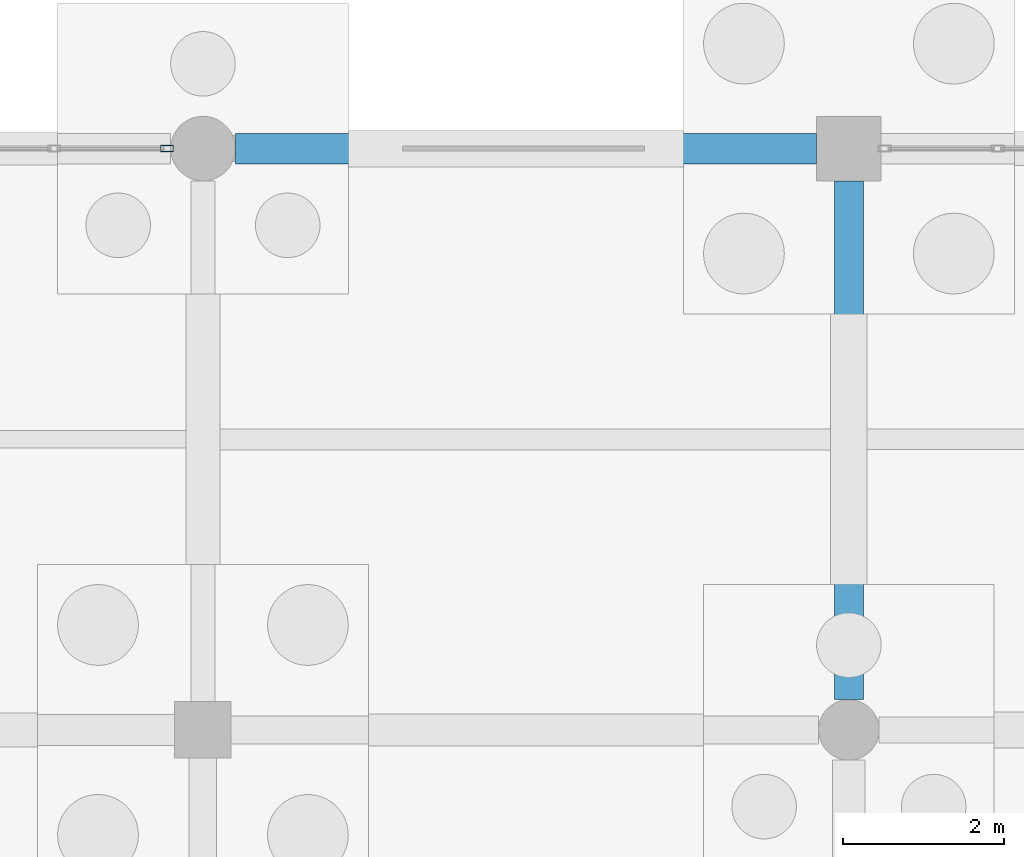
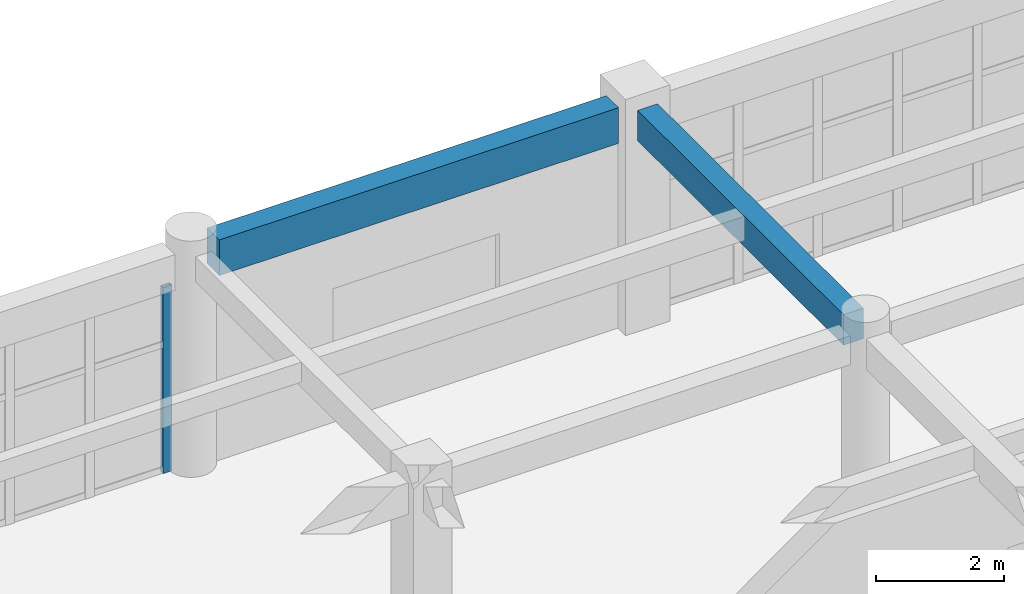
# One storey, part 69 of 166: 2 beams, 1 member, 1 element without a shape of its own.
"""IFC4 building model written with IfcOpenShell, lengths in metres."""

from ifc_helpers import new_model, si_unit, direction, frame, origin, origin_2d, place, context, subcontext, project, spatial, rectangle, hollow_rectangle, extrude, material, material_profile, profile_set, type_object, element, aggregate, save


model = new_model("IFC4")

# Units and contexts
model_context = context("Model", 3, precision=1e-05, world=origin(), true_north=direction((0.0, 1.0)))
body_context = subcontext(model_context, "Body", "Model", "MODEL_VIEW")
ifc_project = project(units=[si_unit("LENGTHUNIT", "METRE"), si_unit("AREAUNIT", "SQUARE_METRE"), si_unit("VOLUMEUNIT", "CUBIC_METRE"), si_unit("PLANEANGLEUNIT", "RADIAN"), si_unit("MASSUNIT", "GRAM", prefix="KILO")], contexts=[model_context])

# Site, building, storey
site_placement = place(None, origin())
site = spatial("IfcSite", under=ifc_project, at=site_placement, CompositionType="ELEMENT")
building_placement = place(site_placement, origin())
building = spatial("IfcBuilding", under=site, at=building_placement, Name="Kharva Crest Polytechnic", CompositionType="ELEMENT")
storey_placement = place(building_placement, origin())
storey = spatial("IfcBuildingStorey", under=building, at=storey_placement, Name="L00", CompositionType="ELEMENT", Elevation=0.0)

# Beam
ifc_material_1 = material(Name="Concrete C35/45", Category="concrete")
ifc_material_profile_1 = material_profile(ifc_material_1, rectangle(XDim=0.360107421875, YDim=0.580078125, at=origin_2d()), Name="RECT 360 X 580")
ifc_profile_set_1 = profile_set([ifc_material_profile_1], Name="Concrete C35/45")
beam_type_1 = type_object("IfcBeamType", Name="BM-RC-360X580", PredefinedType="BEAM", material=ifc_profile_set_1)
beam_1_placement = place(storey_placement, frame((88.0, 115.175048828125, 3.929931640625), z_axis=(0.0, 1.0, 0.0), x_axis=(-1.0, 0.0, 0.0)))
element("IfcBeam", 1, at=beam_1_placement, inside=storey, type_object=beam_type_1, Name="L00 Girder 12/R-S", PredefinedType="BEAM", context=body_context, shape_type="SweptSolid", body=[
    extrude(rectangle(XDim=0.360107421875, YDim=0.580078125, at=origin_2d()), origin(), (0.0, 0.0, 1.0), 6.425048828125),
])

# Curtain wall, member
ifc_material_2 = material(Name="Tempered insulated glass", Category="glass")
curtain_wall_type = type_object("IfcCurtainWallType", Name="CW-SYS-COURT", PredefinedType="USERDEFINED", material=ifc_material_2)
curtain_wall_placement = place(storey_placement, origin())
curtain_wall = element("IfcCurtainWall", 2, at=curtain_wall_placement, inside=storey, type_object=curtain_wall_type, Name="L00 Glazed Curtain Wall CW-028", ObjectType="CURTAIN WALL", PredefinedType="USERDEFINED")
ifc_material_3 = material(Name="Steel S355", Category="steel")
ifc_material_profile_2 = material_profile(ifc_material_3, hollow_rectangle(XDim=0.080078125, YDim=0.159912109375, WallThickness=0.0048828125, at=origin_2d()), Name="RHS 160X80X5.0")
ifc_profile_set_2 = profile_set([ifc_material_profile_2], Name="Steel S355")
member_type = type_object("IfcMemberType", Name="CWM-RHS160X80", PredefinedType="MULLION", material=ifc_profile_set_2)
member_placement = place(storey_placement, frame((79.554931640625, 122.0, 0.0), z_axis=(0.0, 0.0, 1.0), x_axis=(0.0, -1.0, 0.0)))
member = element("IfcMember", 3, at=member_placement, type_object=member_type, Name="CW-028 mullion 1", PredefinedType="MULLION", context=body_context, shape_type="SweptSolid", body=[
    extrude(hollow_rectangle(XDim=0.080078125, YDim=0.159912109375, WallThickness=0.0048828125, at=origin_2d()), origin(), (0.0, 0.0, 1.0), 3.5400390625),
])
aggregate(curtain_wall, [member])

# Beam
ifc_material_profile_3 = material_profile(ifc_material_1, rectangle(XDim=0.3798828125, YDim=0.679931640625, at=origin_2d()), Name="RECT 380 X 680")
ifc_profile_set_3 = profile_set([ifc_material_profile_3], Name="Concrete C35/45")
beam_type_2 = type_object("IfcBeamType", Name="SP-RC-380X680", PredefinedType="SPANDREL", material=ifc_profile_set_3)
beam_2_placement = place(storey_placement, frame((80.39990234375, 122.0, 3.8798828125), z_axis=(1.0, 0.0, 0.0), x_axis=(0.0, 1.0, 0.0)))
element("IfcBeam", 4, at=beam_2_placement, inside=storey, type_object=beam_type_2, Name="L00 Beam S/11-12", PredefinedType="SPANDREL", context=body_context, shape_type="SweptSolid", body=[
    extrude(rectangle(XDim=0.3798828125, YDim=0.679931640625, at=origin_2d()), origin(), (0.0, 0.0, 1.0), 7.2001953125),
])

save(model, "model.ifc")
